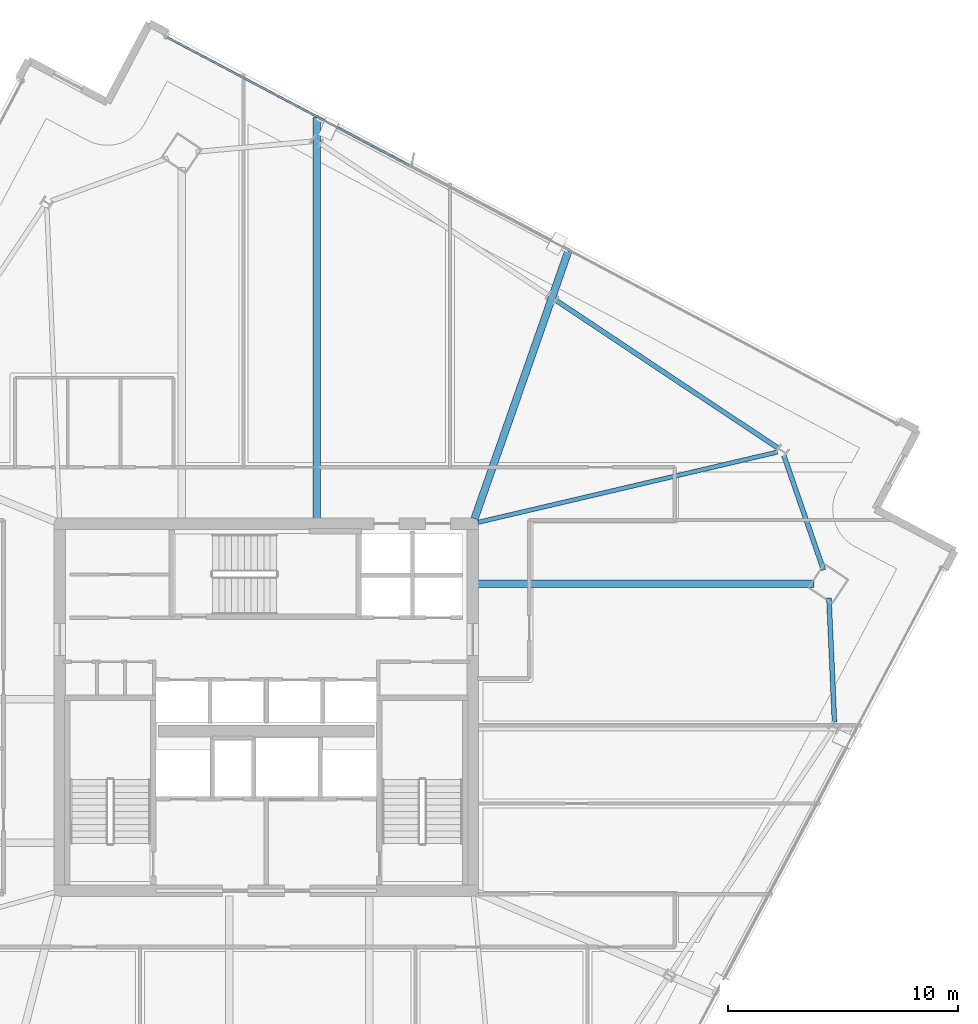
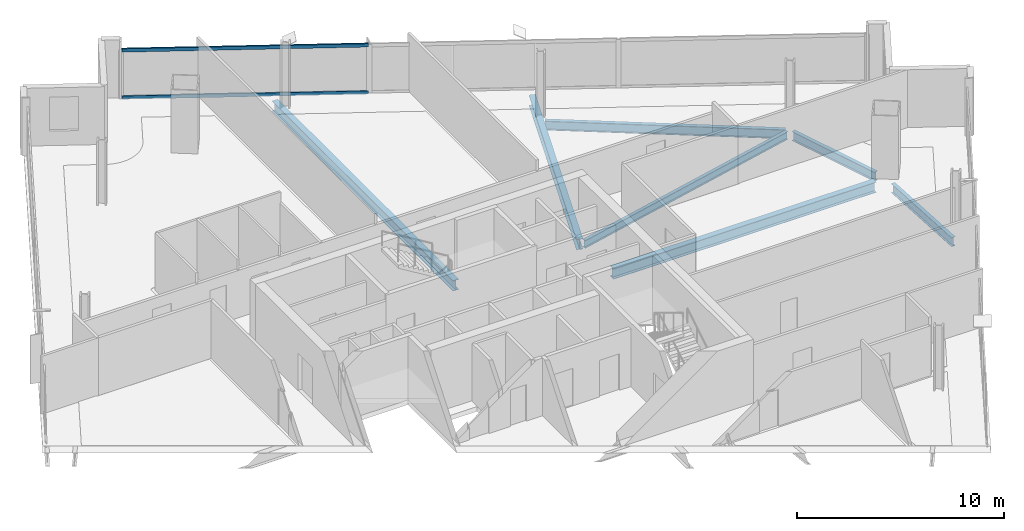
# One storey, part 16 of 28: 7 beams, 2 members, 1 element without a shape of its own.
"""IFC4 building model written with IfcOpenShell, lengths in metres."""

from ifc_helpers import new_model, si_unit, direction, frame, origin, origin_2d, place, context, subcontext, project, spatial, hollow_rectangle, i_section, extrude, material, material_profile, profile_set, type_object, element, aggregate, save


model = new_model("IFC4")

# Units and contexts
model_context = context("Model", 3, precision=1e-05, world=origin(), true_north=direction((0.0, 1.0)))
body_context = subcontext(model_context, "Body", "Model", "MODEL_VIEW")
ifc_project = project(units=[si_unit("LENGTHUNIT", "METRE"), si_unit("AREAUNIT", "SQUARE_METRE"), si_unit("VOLUMEUNIT", "CUBIC_METRE"), si_unit("PLANEANGLEUNIT", "RADIAN"), si_unit("MASSUNIT", "GRAM", prefix="KILO")], contexts=[model_context])

# Site, building, storey
site_placement = place(None, origin())
site = spatial("IfcSite", under=ifc_project, at=site_placement, CompositionType="ELEMENT")
building_placement = place(site_placement, origin())
building = spatial("IfcBuilding", under=site, at=building_placement, Name="Haldenkirk Collegiate Tower", CompositionType="ELEMENT")
storey_placement = place(building_placement, frame((0.0, 0.0, 235.949951171875)))
storey = spatial("IfcBuildingStorey", under=building, at=storey_placement, Name="L59", CompositionType="ELEMENT", Elevation=235.949951171875)

# Beams
ifc_material_1 = material(Name="Steel ASTM A992 Grade 50", Category="steel")
ifc_material_profile_1 = material_profile(ifc_material_1, i_section(OverallWidth=0.324951171875, OverallDepth=0.615966796875, WebThickness=0.013916015625, FlangeThickness=0.021484375, at=origin_2d()), Name="W24X117")
ifc_profile_set_1 = profile_set([ifc_material_profile_1], Name="Steel ASTM A992 Grade 50")
beam_type_1 = type_object("IfcBeamType", Name="BM-GIRDER-W24X117", PredefinedType="BEAM", material=ifc_profile_set_1)
beam_1_placement = place(storey_placement, frame((59.856201171875, 31.3837890625, -0.587890625), z_axis=(-1.0, 0.0, 0.0), x_axis=(0.0, -1.0, 0.0)))
element("IfcBeam", 1, at=beam_1_placement, inside=storey, type_object=beam_type_1, Name="L59 primary floor girder 02", PredefinedType="BEAM", context=body_context, shape_type="SweptSolid", body=[
    extrude(i_section(OverallWidth=0.324951171875, OverallDepth=0.615966796875, WebThickness=0.013916015625, FlangeThickness=0.021484375, at=origin_2d()), origin(), (0.0, 0.0, 1.0), 14.626220703125),
])
beam_2_placement = place(storey_placement, frame((49.162109375, 45.882080078125, -0.587890625), z_axis=(-0.330596769209, -0.943772099709, 0.0), x_axis=(0.943772099709, -0.330596769209, 0.0)))
element("IfcBeam", 2, at=beam_2_placement, inside=storey, type_object=beam_type_1, Name="L59 primary floor girder 09", PredefinedType="BEAM", context=body_context, shape_type="SweptSolid", body=[
    extrude(i_section(OverallWidth=0.324951171875, OverallDepth=0.615966796875, WebThickness=0.013916015625, FlangeThickness=0.021484375, at=origin_2d()), origin(), (0.0, 0.0, 1.0), 12.360107421875),
])
beam_3_placement = place(storey_placement, frame((38.192626953125, 51.68994140625, -0.587890625), z_axis=(0.0, -1.0, 0.0), x_axis=(1.0, 0.0, 0.0)))
element("IfcBeam", 3, at=beam_3_placement, inside=storey, type_object=beam_type_1, Name="L59 primary floor girder 10", PredefinedType="BEAM", context=body_context, shape_type="SweptSolid", body=[
    extrude(i_section(OverallWidth=0.324951171875, OverallDepth=0.615966796875, WebThickness=0.013916015625, FlangeThickness=0.021484375, at=origin_2d()), origin(), (0.0, 0.0, 1.0), 17.4599609375),
])
ifc_material_profile_2 = material_profile(ifc_material_1, i_section(OverallWidth=0.18994140625, OverallDepth=0.45703125, WebThickness=0.009033203125, FlangeThickness=0.014404296875, at=origin_2d()), Name="W18X50")
ifc_profile_set_2 = profile_set([ifc_material_profile_2], Name="Steel ASTM A992 Grade 50")
beam_type_2 = type_object("IfcBeamType", Name="BM-JOIST-W18X50", PredefinedType="JOIST", material=ifc_profile_set_2)
beam_4_placement = place(storey_placement, frame((58.26953125, 37.114013671875, -0.508544921875), z_axis=(-0.973550809881, -0.228470612069, 0.0), x_axis=(0.228470612069, -0.973550809881, 0.0)))
element("IfcBeam", 4, at=beam_4_placement, inside=storey, type_object=beam_type_2, Name="L59 composite floor joist 08", PredefinedType="JOIST", context=body_context, shape_type="SweptSolid", body=[
    extrude(i_section(OverallWidth=0.18994140625, OverallDepth=0.45703125, WebThickness=0.009033203125, FlangeThickness=0.014404296875, at=origin_2d()), origin(), (0.0, 0.0, 1.0), 13.400146484375),
])
ifc_material_profile_3 = material_profile(ifc_material_1, i_section(OverallWidth=0.2099609375, OverallDepth=0.537109375, WebThickness=0.010986328125, FlangeThickness=0.017333984375, at=origin_2d()), Name="W21X68")
ifc_profile_set_3 = profile_set([ifc_material_profile_3], Name="Steel ASTM A992 Grade 50")
beam_type_3 = type_object("IfcBeamType", Name="BM-SPANDREL-W21X68", PredefinedType="SPANDREL", material=ifc_profile_set_3)
beam_5_placement = place(storey_placement, frame((60.756103515625, 25.34326171875, -0.54833984375), z_axis=(-0.044622535616, 0.999003918569, 0.0), x_axis=(-0.999003918569, -0.044622535616, 0.0)))
element("IfcBeam", 5, at=beam_5_placement, inside=storey, type_object=beam_type_3, Name="L59 perimeter spandrel beam 04", PredefinedType="SPANDREL", context=body_context, shape_type="SweptSolid", body=[
    extrude(i_section(OverallWidth=0.2099609375, OverallDepth=0.537109375, WebThickness=0.010986328125, FlangeThickness=0.017333984375, at=origin_2d()), origin(), (0.0, 0.0, 1.0), 5.41650390625),
])
beam_6_placement = place(storey_placement, frame((60.27978515625, 31.97900390625, -0.54833984375), z_axis=(-0.327807295579, 0.944744609387, 0.0), x_axis=(-0.944744609387, -0.327807295579, 0.0)))
element("IfcBeam", 6, at=beam_6_placement, inside=storey, type_object=beam_type_3, Name="L59 perimeter spandrel beam 05", PredefinedType="SPANDREL", context=body_context, shape_type="SweptSolid", body=[
    extrude(i_section(OverallWidth=0.2099609375, OverallDepth=0.537109375, WebThickness=0.010986328125, FlangeThickness=0.017333984375, at=origin_2d()), origin(), (0.0, 0.0, 1.0), 5.270751953125),
])
beam_7_placement = place(storey_placement, frame((58.30029296875, 37.28369140625, -0.54833984375), z_axis=(-0.832431545828, 0.554127892738, 0.0), x_axis=(-0.554127892738, -0.832431545828, 0.0)))
element("IfcBeam", 7, at=beam_7_placement, inside=storey, type_object=beam_type_3, Name="L59 perimeter spandrel beam 06", PredefinedType="SPANDREL", context=body_context, shape_type="SweptSolid", body=[
    extrude(i_section(OverallWidth=0.2099609375, OverallDepth=0.537109375, WebThickness=0.010986328125, FlangeThickness=0.017333984375, at=origin_2d()), origin(), (0.0, 0.0, 1.0), 11.619140625),
])

# Curtain wall, members
ifc_material_2 = material(Name="Anodised architectural bronze aluminium", Category="aluminium")
curtain_wall_type = type_object("IfcCurtainWallType", Name="CW-SYS1B-CONVEX-HI", PredefinedType="USERDEFINED", material=ifc_material_2)
curtain_wall_placement = place(storey_placement, origin())
curtain_wall = element("IfcCurtainWall", 8, at=curtain_wall_placement, inside=storey, type_object=curtain_wall_type, Name="L59 Upper tower high-wind convex bronze unitised curtain wall", ObjectType="UNITISED CURTAIN WALL", PredefinedType="USERDEFINED")
ifc_material_profile_4 = material_profile(ifc_material_2, hollow_rectangle(XDim=0.0849609375, YDim=0.199951171875, WallThickness=0.0048828125, at=origin_2d()), Name="CW-TRN-1B")
ifc_profile_set_4 = profile_set([ifc_material_profile_4], Name="Anodised architectural bronze aluminium")
member_type = type_object("IfcMemberType", Name="CW-TRN-1B", PredefinedType="USERDEFINED", material=ifc_profile_set_4)
member_1_placement = place(storey_placement, frame((31.687744140625, 55.179443359375, 0.04248046875), z_axis=(0.883768449024, -0.46792449018, 0.0), x_axis=(0.46792449018, 0.883768449024, 0.0)))
member_1 = element("IfcMember", 9, at=member_1_placement, type_object=member_type, Name="CW-1B transom 1.1", ObjectType="TRANSOM", PredefinedType="USERDEFINED", context=body_context, shape_type="SweptSolid", body=[
    extrude(hollow_rectangle(XDim=0.0849609375, YDim=0.199951171875, WallThickness=0.0048828125, at=origin_2d()), origin(), (0.0, 0.0, 1.0), 11.8974609375),
])
member_2_placement = place(storey_placement, frame((31.687744140625, 55.179443359375, 2.8154296875), z_axis=(0.883768449024, -0.46792449018, 0.0), x_axis=(0.46792449018, 0.883768449024, 0.0)))
member_2 = element("IfcMember", 10, at=member_2_placement, type_object=member_type, Name="CW-1B transom 1.2", ObjectType="TRANSOM", PredefinedType="USERDEFINED", context=body_context, shape_type="SweptSolid", body=[
    extrude(hollow_rectangle(XDim=0.0849609375, YDim=0.199951171875, WallThickness=0.0048828125, at=origin_2d()), origin(), (0.0, 0.0, 1.0), 11.8974609375),
])
aggregate(curtain_wall, [member_1, member_2])

save(model, "model.ifc")
